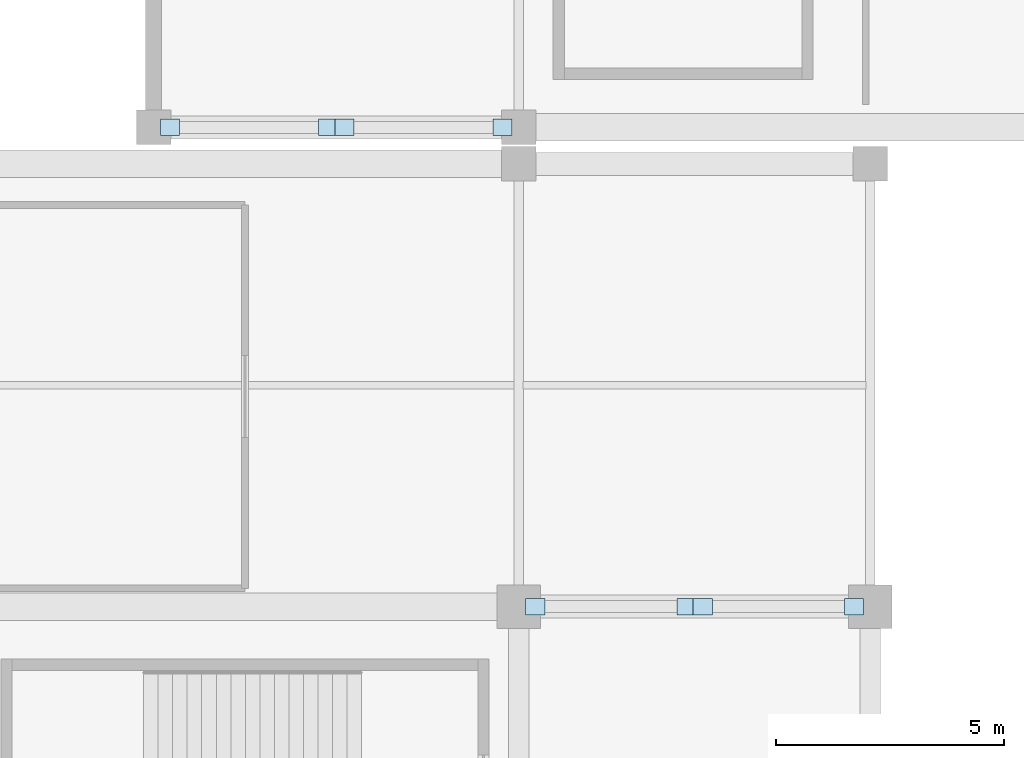
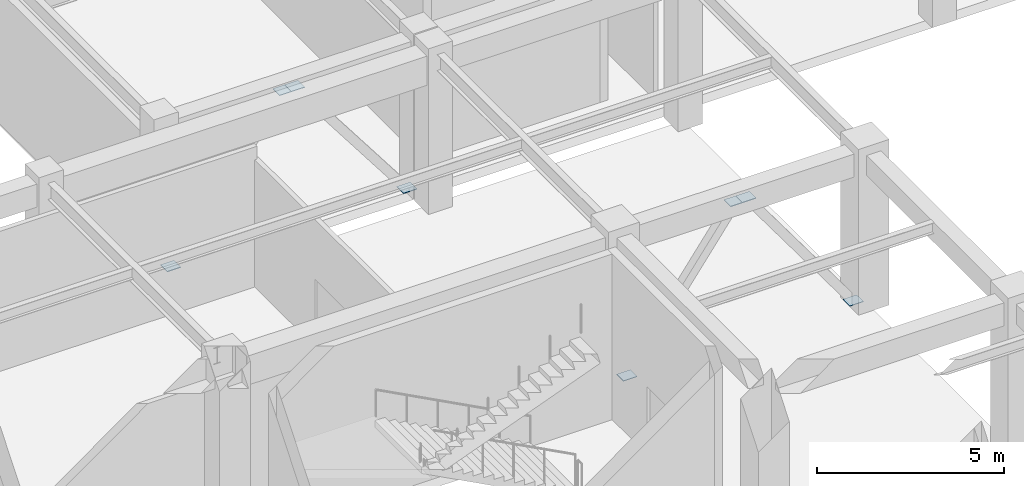
# One storey, part 71 of 120: 8 plates.
"""IFC4 building model written with IfcOpenShell, lengths in metres."""

from ifc_helpers import new_model, si_unit, direction, frame, origin, origin_2d, place, context, subcontext, project, spatial, rectangle, extrude, material, layer, layer_set, type_object, element, save


model = new_model("IFC4")

# Units and contexts
model_context = context("Model", 3, precision=1e-05, world=origin(), true_north=direction((0.0, 1.0)))
body_context = subcontext(model_context, "Body", "Model", "MODEL_VIEW")
ifc_project = project(units=[si_unit("LENGTHUNIT", "METRE"), si_unit("AREAUNIT", "SQUARE_METRE"), si_unit("VOLUMEUNIT", "CUBIC_METRE"), si_unit("PLANEANGLEUNIT", "RADIAN"), si_unit("MASSUNIT", "GRAM", prefix="KILO")], contexts=[model_context])

# Site, building, storey
site_placement = place(None, origin())
site = spatial("IfcSite", under=ifc_project, at=site_placement, CompositionType="ELEMENT")
building_placement = place(site_placement, origin())
building = spatial("IfcBuilding", under=site, at=building_placement, Name="Cuetzalor Civic Arena", CompositionType="ELEMENT")
storey_placement = place(building_placement, frame((0.0, 0.0, 6.0)))
storey = spatial("IfcBuildingStorey", under=building, at=storey_placement, Name="L01", CompositionType="ELEMENT", Elevation=6.0)

# Plates
ifc_material = material(Name="Steel S355", Category="steel")
ifc_layer = layer(ifc_material, 0.02001953125)
ifc_layer_set = layer_set([ifc_layer], Name="Steel S355")
plate_type = type_object("IfcPlateType", Name="TubeEndCapPlate_CP01", PredefinedType="SHEET", material=ifc_layer_set)
for number, where, z_axis, x_axis, name in (
    (1, (-71.639892578125, 35.5, 0.139892578125), (0.0, 0.0, 1.0), (1.0, 0.0, 0.0), "Brace End Cap Plate 003-1"),
    (2, (-68.179931640625, 35.5, 4.669921875), (0.0, 0.0, 1.0), (1.0, 0.0, 0.0), "Brace End Cap Plate 003-2"),
    (3, (-64.360107421875, 35.5, 0.139892578125), (0.0, 0.0, 1.0), (1.0, 0.0, 0.0), "Brace End Cap Plate 004-1"),
    (4, (-67.820068359375, 35.5, 4.669921875), (0.0, 0.0, 1.0), (1.0, 0.0, 0.0), "Brace End Cap Plate 004-2"),
    (5, (-63.639892578125, 25.0, 0.139892578125), (0.0, 0.0, 1.0), (1.0, 0.0, 0.0), "Brace End Cap Plate 015-1"),
    (6, (-60.330078125, 25.0, 4.669921875), (0.0, 0.0, 1.0), (1.0, 0.0, 0.0), "Brace End Cap Plate 015-2"),
    (7, (-56.659912109375, 25.0, 0.139892578125), (0.0, 0.0, 1.0), (1.0, 0.0, 0.0), "Brace End Cap Plate 016-1"),
    (8, (-59.969970703125, 25.0, 4.669921875), (0.0, 0.0, 1.0), (1.0, 0.0, 0.0), "Brace End Cap Plate 016-2"),
):
    element("IfcPlate", number, at=place(storey_placement, frame(where, z_axis=z_axis, x_axis=x_axis)), inside=storey, type_object=plate_type, Name=name, PredefinedType="SHEET", context=body_context, shape_type="SweptSolid", body=[
        extrude(rectangle(XDim=0.419921875, YDim=0.360107421875, at=origin_2d()), origin(), (0.0, 0.0, 1.0), 0.02001953125),
    ])

save(model, "model.ifc")
